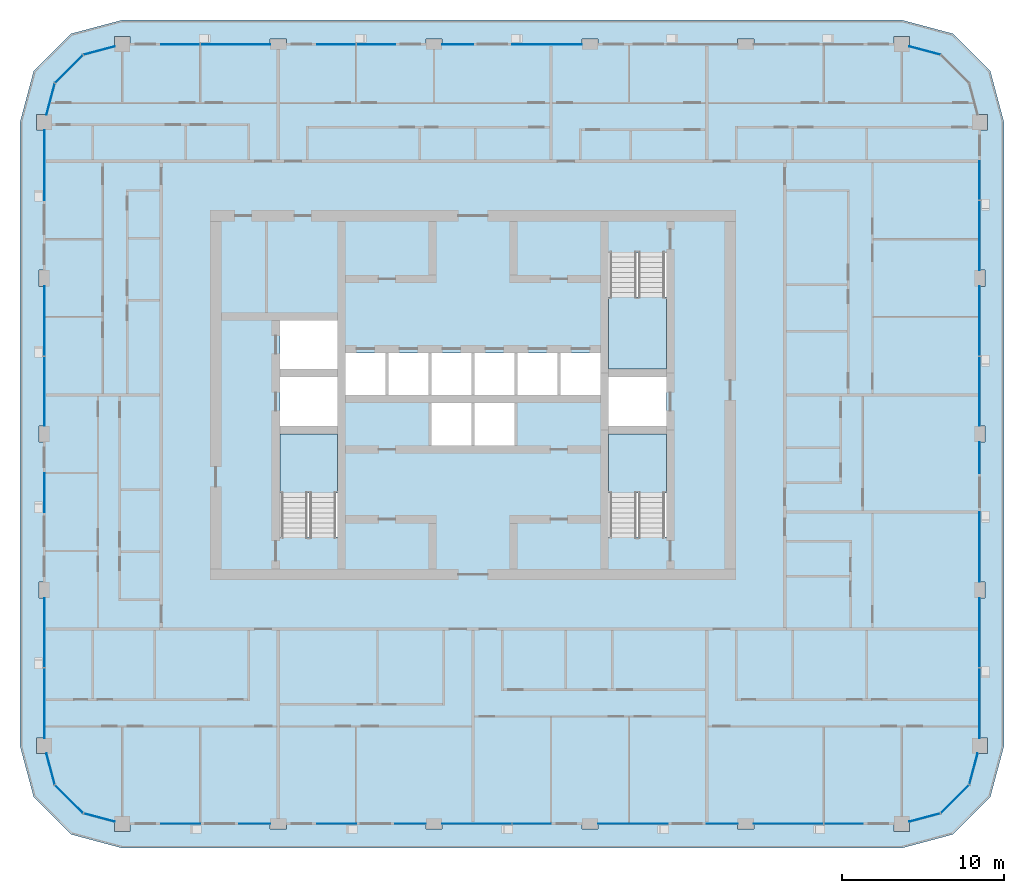
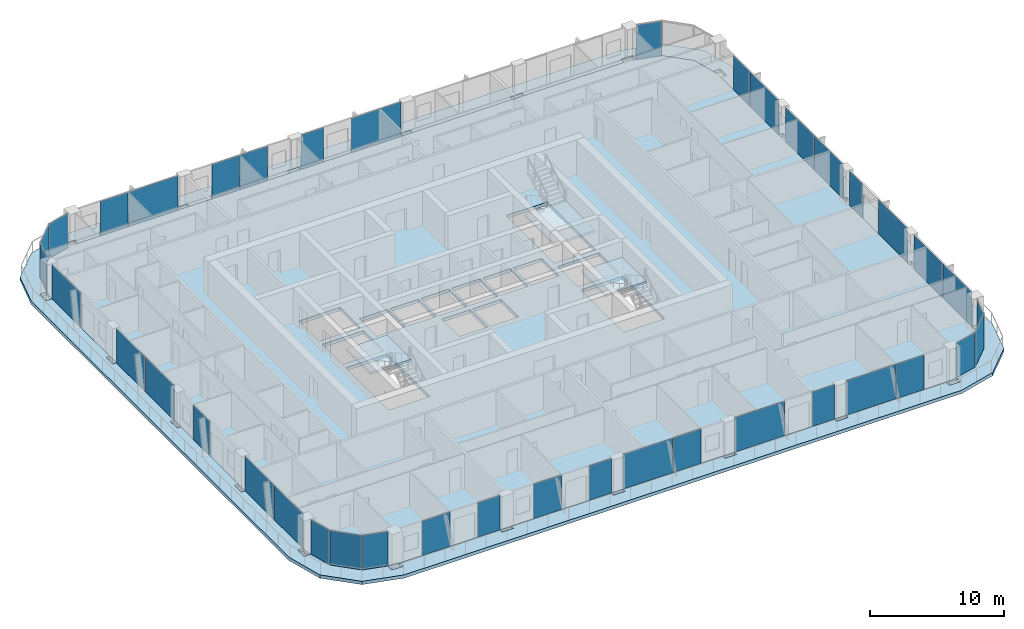
# One storey, part 7 of 21: 40 plates, 5 slabs, 23 elements without a shape of their own.
"""IFC4 building model written with IfcOpenShell, lengths in metres."""

from ifc_helpers import new_model, si_unit, direction, frame, origin, origin_2d, place, context, subcontext, project, spatial, polyline, rectangle, outline, extrude, material, layer, layer_set, type_object, element, aggregate, save


model = new_model("IFC4")

# Units and contexts
model_context = context("Model", 3, precision=1e-05, world=origin(), true_north=direction((0.0, 1.0)))
body_context = subcontext(model_context, "Body", "Model", "MODEL_VIEW")
ifc_project = project(units=[si_unit("LENGTHUNIT", "METRE"), si_unit("AREAUNIT", "SQUARE_METRE"), si_unit("VOLUMEUNIT", "CUBIC_METRE"), si_unit("PLANEANGLEUNIT", "RADIAN"), si_unit("MASSUNIT", "GRAM", prefix="KILO")], contexts=[model_context])

# Site, building, storey
site_placement = place(None, origin())
site = spatial("IfcSite", under=ifc_project, at=site_placement, CompositionType="ELEMENT")
building_placement = place(site_placement, origin())
building = spatial("IfcBuilding", under=site, at=building_placement, Name="Madar Terraces", CompositionType="ELEMENT")
storey_placement = place(building_placement, frame((0.0, 0.0, 196.39990234375)))
storey = spatial("IfcBuildingStorey", under=building, at=storey_placement, Name="L51", CompositionType="ELEMENT", Elevation=196.39990234375)

# Slabs
ifc_material_1 = material(Name="Concrete C50/60", Category="concrete")
ifc_layer_1 = layer(ifc_material_1, 0.300048828125)
ifc_layer_set_1 = layer_set([ifc_layer_1], Name="Balcony band 300")
slab_type_1 = type_object("IfcSlabType", Name="Balcony band 300", PredefinedType="FLOOR", material=ifc_layer_set_1)
slab_1_placement = place(storey_placement, frame((0.0, 0.0, -0.2998046875)))
element("IfcSlab", 1, at=slab_1_placement, inside=storey, type_object=slab_type_1, Name="Balcony band", PredefinedType="FLOOR", context=body_context, shape_type="SweptSolid", body=[
    extrude(outline(polyline([(9.60009765625, -1.5), (6.449951171875, -0.656005859375), (4.14404296875, 1.64990234375), (3.300048828125, 4.800048828125), (3.300048828125, 43.199951171875), (4.14404296875, 46.35009765625), (6.449951171875, 48.656005859375), (9.60009765625, 49.5), (57.60009765625, 49.5), (60.75, 48.656005859375), (63.055908203125, 46.35009765625), (63.89990234375, 43.199951171875), (63.89990234375, 4.800048828125), (63.055908203125, 1.64990234375), (60.75, -0.656005859375), (57.60009765625, -1.5), (9.60009765625, -1.5)]), holes=[polyline([(10.074951171875, -0.47509765625), (10.074951171875, 0.0), (18.699951171875, 0.0), (18.699951171875, -0.324951171875), (19.699951171875, -0.324951171875), (19.699951171875, 0.0), (28.300048828125, 0.0), (28.300048828125, -0.324951171875), (29.300048828125, -0.324951171875), (29.300048828125, 0.0), (37.89990234375, 0.0), (37.89990234375, -0.324951171875), (38.89990234375, -0.324951171875), (38.89990234375, 0.0), (47.5, 0.0), (47.5, -0.324951171875), (48.5, -0.324951171875), (48.5, 0.0), (57.125, 0.0), (57.125, -0.47509765625), (58.074951171875, -0.47509765625), (58.074951171875, 0.127197265625), (60.0, 0.64306640625), (61.7568359375, 2.39990234375), (62.272705078125, 4.324951171875), (62.875, 4.324951171875), (62.875, 5.27490234375), (62.39990234375, 5.27490234375), (62.39990234375, 13.89990234375), (62.72509765625, 13.89990234375), (62.72509765625, 14.89990234375), (62.39990234375, 14.89990234375), (62.39990234375, 23.5), (62.72509765625, 23.5), (62.72509765625, 24.5), (62.39990234375, 24.5), (62.39990234375, 33.10009765625), (62.72509765625, 33.10009765625), (62.72509765625, 34.10009765625), (62.39990234375, 34.10009765625), (62.39990234375, 42.72509765625), (62.875, 42.72509765625), (62.875, 43.675048828125), (62.272705078125, 43.675048828125), (61.7568359375, 45.60009765625), (60.0, 47.35693359375), (58.074951171875, 47.872802734375), (58.074951171875, 48.47509765625), (57.125, 48.47509765625), (57.125, 48.0), (48.5, 48.0), (48.5, 48.324951171875), (47.5, 48.324951171875), (47.5, 48.0), (38.89990234375, 48.0), (38.89990234375, 48.324951171875), (37.89990234375, 48.324951171875), (37.89990234375, 48.0), (29.300048828125, 48.0), (29.300048828125, 48.324951171875), (28.300048828125, 48.324951171875), (28.300048828125, 48.0), (19.699951171875, 48.0), (19.699951171875, 48.324951171875), (18.699951171875, 48.324951171875), (18.699951171875, 48.0), (10.074951171875, 48.0), (10.074951171875, 48.47509765625), (9.125, 48.47509765625), (9.125, 47.872802734375), (7.199951171875, 47.35693359375), (5.443115234375, 45.60009765625), (4.92724609375, 43.675048828125), (4.324951171875, 43.675048828125), (4.324951171875, 42.72509765625), (4.800048828125, 42.72509765625), (4.800048828125, 34.10009765625), (4.47509765625, 34.10009765625), (4.47509765625, 33.10009765625), (4.800048828125, 33.10009765625), (4.800048828125, 24.5), (4.47509765625, 24.5), (4.47509765625, 23.5), (4.800048828125, 23.5), (4.800048828125, 14.89990234375), (4.47509765625, 14.89990234375), (4.47509765625, 13.89990234375), (4.800048828125, 13.89990234375), (4.800048828125, 5.27490234375), (4.324951171875, 5.27490234375), (4.324951171875, 4.324951171875), (4.92724609375, 4.324951171875), (5.443115234375, 2.39990234375), (7.199951171875, 0.64306640625), (9.125, 0.127197265625), (9.125, -0.47509765625), (10.074951171875, -0.47509765625)])]), origin(), (0.0, 0.0, 1.0), 0.2998046875),
])
ifc_material_2 = material(Name="Concrete C50/60", Category="concrete")
ifc_layer_2 = layer(ifc_material_2, 0.300048828125)
ifc_layer_set_2 = layer_set([ifc_layer_2], Name="FS2 PT flat slab 300")
slab_type_2 = type_object("IfcSlabType", Name="FS2 PT flat slab 300", PredefinedType="FLOOR", material=ifc_layer_set_2)
slab_2_placement = place(storey_placement, frame((0.0, 0.0, -0.2998046875)))
element("IfcSlab", 2, at=slab_2_placement, inside=storey, type_object=slab_type_2, Name="Floor slab L51 (1)", PredefinedType="FLOOR", context=body_context, shape_type="SweptSolid", body=[
    extrude(outline(polyline([(57.60009765625, 0.0), (60.0, 0.64306640625), (61.7568359375, 2.39990234375), (62.39990234375, 4.800048828125), (62.39990234375, 43.199951171875), (61.7568359375, 45.60009765625), (60.0, 47.35693359375), (57.60009765625, 48.0), (9.60009765625, 48.0), (7.199951171875, 47.35693359375), (5.443115234375, 45.60009765625), (4.800048828125, 43.199951171875), (4.800048828125, 4.800048828125), (5.443115234375, 2.39990234375), (7.199951171875, 0.64306640625), (9.60009765625, 0.0), (57.60009765625, 0.0)]), holes=[polyline([(22.85009765625, 17.64990234375), (19.300048828125, 17.64990234375), (19.300048828125, 24.0), (22.85009765625, 24.0), (22.85009765625, 17.64990234375)]), polyline([(28.64990234375, 23.300048828125), (28.64990234375, 25.89990234375), (31.10009765625, 25.89990234375), (31.10009765625, 23.300048828125), (28.64990234375, 23.300048828125)]), polyline([(19.300048828125, 24.5), (19.300048828125, 27.5), (22.85009765625, 27.5), (22.85009765625, 24.5), (19.300048828125, 24.5)]), polyline([(23.35009765625, 26.39990234375), (23.35009765625, 29.0), (25.800048828125, 29.0), (25.800048828125, 26.39990234375), (23.35009765625, 26.39990234375)]), polyline([(26.0, 26.39990234375), (26.0, 29.0), (28.449951171875, 29.0), (28.449951171875, 26.39990234375), (26.0, 26.39990234375)]), polyline([(28.64990234375, 26.39990234375), (28.64990234375, 29.0), (31.10009765625, 29.0), (31.10009765625, 26.39990234375), (28.64990234375, 26.39990234375)]), polyline([(19.300048828125, 28.0), (19.300048828125, 31.0), (22.85009765625, 31.0), (22.85009765625, 28.0), (19.300048828125, 28.0)]), polyline([(43.10009765625, 17.64990234375), (39.550048828125, 17.64990234375), (39.550048828125, 24.0), (43.10009765625, 24.0), (43.10009765625, 17.64990234375)]), polyline([(31.300048828125, 23.300048828125), (31.300048828125, 25.89990234375), (33.75, 25.89990234375), (33.75, 23.300048828125), (31.300048828125, 23.300048828125)]), polyline([(39.550048828125, 24.5), (39.550048828125, 27.5), (43.10009765625, 27.5), (43.10009765625, 24.5), (39.550048828125, 24.5)]), polyline([(31.300048828125, 26.39990234375), (31.300048828125, 29.0), (33.75, 29.0), (33.75, 26.39990234375), (31.300048828125, 26.39990234375)]), polyline([(33.949951171875, 26.39990234375), (33.949951171875, 29.0), (36.39990234375, 29.0), (36.39990234375, 26.39990234375), (33.949951171875, 26.39990234375)]), polyline([(36.60009765625, 26.39990234375), (36.60009765625, 29.0), (39.050048828125, 29.0), (39.050048828125, 26.39990234375), (36.60009765625, 26.39990234375)]), polyline([(39.550048828125, 28.0), (39.550048828125, 35.14990234375), (43.10009765625, 35.14990234375), (43.10009765625, 28.0), (39.550048828125, 28.0)])]), origin(), (0.0, 0.0, 1.0), 0.2998046875),
])

# Curtain wall, plates
ifc_material_3 = material(Name="Glass, ceramic frit dark grey, with black aluminium frame", Category="aluminium")
ifc_layer_3 = layer(ifc_material_3, 0.199951171875)
ifc_layer_set_3 = layer_set([ifc_layer_3], Name="Facade curtain wall, fritted glass")
curtain_wall_type = type_object("IfcCurtainWallType", Name="Facade curtain wall, fritted glass", PredefinedType="NOTDEFINED", material=ifc_layer_set_3)
curtain_wall_1_placement = place(storey_placement, origin())
curtain_wall_1 = element("IfcCurtainWall", 3, at=curtain_wall_1_placement, inside=storey, type_object=curtain_wall_type, Name="Outer skin curtain wall south bay 1", PredefinedType="NOTDEFINED")
ifc_material_4 = material(Name="Glass, ceramic frit dark grey", Category="glass")
ifc_layer_4 = layer(ifc_material_4, 0.028076171875)
ifc_layer_set_4 = layer_set([ifc_layer_4], Name="Facade glass panel 28")
plate_type = type_object("IfcPlateType", Name="Facade glass panel 28", PredefinedType="CURTAIN_PANEL", material=ifc_layer_set_4)
plate_1_placement = place(storey_placement, frame((13.199951171875, 0.0, 0.0), z_axis=(0.0, 0.0, 1.0), x_axis=(1.0, 0.0, 0.0)))
plate_1 = element("IfcPlate", 4, at=plate_1_placement, type_object=plate_type, Name="Panel 1", PredefinedType="CURTAIN_PANEL", context=body_context, shape_type="SweptSolid", body=[
    extrude(rectangle(XDim=2.39990234375, YDim=0.028076171875, at=origin_2d()), origin(), (0.0, 0.0, 1.0), 3.139892578125),
])
plate_2_placement = place(storey_placement, frame((17.75, 0.0, 0.0), z_axis=(0.0, 0.0, 1.0), x_axis=(1.0, 0.0, 0.0)))
plate_2 = element("IfcPlate", 5, at=plate_2_placement, type_object=plate_type, Name="Panel 2", PredefinedType="CURTAIN_PANEL", context=body_context, shape_type="SweptSolid", body=[
    extrude(rectangle(XDim=1.89990234375, YDim=0.028076171875, at=origin_2d()), origin(), (0.0, 0.0, 1.0), 3.139892578125),
])
aggregate(curtain_wall_1, [plate_1, plate_2])

curtain_wall_2_placement = place(storey_placement, origin())
curtain_wall_2 = element("IfcCurtainWall", 6, at=curtain_wall_2_placement, inside=storey, type_object=curtain_wall_type, Name="Outer skin curtain wall south bay 2", PredefinedType="NOTDEFINED")
plate_3_placement = place(storey_placement, frame((22.800048828125, 0.0, 0.0), z_axis=(0.0, 0.0, 1.0), x_axis=(1.0, 0.0, 0.0)))
plate_3 = element("IfcPlate", 7, at=plate_3_placement, type_object=plate_type, Name="Panel 1", PredefinedType="CURTAIN_PANEL", context=body_context, shape_type="SweptSolid", body=[
    extrude(rectangle(XDim=2.39990234375, YDim=0.028076171875, at=origin_2d()), origin(), (0.0, 0.0, 1.0), 3.139892578125),
])
plate_4_placement = place(storey_placement, frame((27.35009765625, 0.0, 0.0), z_axis=(0.0, 0.0, 1.0), x_axis=(1.0, 0.0, 0.0)))
plate_4 = element("IfcPlate", 8, at=plate_4_placement, type_object=plate_type, Name="Panel 2", PredefinedType="CURTAIN_PANEL", context=body_context, shape_type="SweptSolid", body=[
    extrude(rectangle(XDim=1.89990234375, YDim=0.028076171875, at=origin_2d()), origin(), (0.0, 0.0, 1.0), 3.139892578125),
])
aggregate(curtain_wall_2, [plate_3, plate_4])

curtain_wall_3_placement = place(storey_placement, origin())
curtain_wall_3 = element("IfcCurtainWall", 9, at=curtain_wall_3_placement, inside=storey, type_object=curtain_wall_type, Name="Outer skin curtain wall south bay 3", PredefinedType="NOTDEFINED")
plate_5_placement = place(storey_placement, frame((31.43505859375, 0.0, 0.0), z_axis=(0.0, 0.0, 1.0), x_axis=(1.0, 0.0, 0.0)))
plate_5 = element("IfcPlate", 10, at=plate_5_placement, type_object=plate_type, Name="Panel 1", PredefinedType="CURTAIN_PANEL", context=body_context, shape_type="SweptSolid", body=[
    extrude(rectangle(XDim=4.27001953125, YDim=0.028076171875, at=origin_2d()), origin(), (0.0, 0.0, 1.0), 3.139892578125),
])
plate_6_placement = place(storey_placement, frame((34.81494140625, 0.0, 0.0), z_axis=(0.0, 0.0, 1.0), x_axis=(1.0, 0.0, 0.0)))
plate_6 = element("IfcPlate", 11, at=plate_6_placement, type_object=plate_type, Name="Panel 2", PredefinedType="CURTAIN_PANEL", context=body_context, shape_type="SweptSolid", body=[
    extrude(rectangle(XDim=2.3701171875, YDim=0.028076171875, at=origin_2d()), origin(), (0.0, 0.0, 1.0), 3.139892578125),
])
aggregate(curtain_wall_3, [plate_5, plate_6])

curtain_wall_4_placement = place(storey_placement, origin())
curtain_wall_4 = element("IfcCurtainWall", 12, at=curtain_wall_4_placement, inside=storey, type_object=curtain_wall_type, Name="Outer skin curtain wall south bay 4", PredefinedType="NOTDEFINED")
plate_7_placement = place(storey_placement, frame((41.050048828125, 0.0, 0.0), z_axis=(0.0, 0.0, 1.0), x_axis=(1.0, 0.0, 0.0)))
plate_7 = element("IfcPlate", 13, at=plate_7_placement, type_object=plate_type, Name="Panel 1", PredefinedType="CURTAIN_PANEL", context=body_context, shape_type="SweptSolid", body=[
    extrude(rectangle(XDim=4.300048828125, YDim=0.028076171875, at=origin_2d()), origin(), (0.0, 0.0, 1.0), 3.139892578125),
])
plate_8_placement = place(storey_placement, frame((46.550048828125, 0.0, 0.0), z_axis=(0.0, 0.0, 1.0), x_axis=(1.0, 0.0, 0.0)))
plate_8 = element("IfcPlate", 14, at=plate_8_placement, type_object=plate_type, Name="Panel 2", PredefinedType="CURTAIN_PANEL", context=body_context, shape_type="SweptSolid", body=[
    extrude(rectangle(XDim=1.89990234375, YDim=0.028076171875, at=origin_2d()), origin(), (0.0, 0.0, 1.0), 3.139892578125),
])
aggregate(curtain_wall_4, [plate_7, plate_8])

curtain_wall_5_placement = place(storey_placement, origin())
curtain_wall_5 = element("IfcCurtainWall", 15, at=curtain_wall_5_placement, inside=storey, type_object=curtain_wall_type, Name="Outer skin curtain wall south bay 5", PredefinedType="NOTDEFINED")
plate_9_placement = place(storey_placement, frame((50.635009765625, 0.0, 0.0), z_axis=(0.0, 0.0, 1.0), x_axis=(1.0, 0.0, 0.0)))
plate_9 = element("IfcPlate", 16, at=plate_9_placement, type_object=plate_type, Name="Panel 1", PredefinedType="CURTAIN_PANEL", context=body_context, shape_type="SweptSolid", body=[
    extrude(rectangle(XDim=4.27001953125, YDim=0.028076171875, at=origin_2d()), origin(), (0.0, 0.0, 1.0), 3.139892578125),
])
plate_10_placement = place(storey_placement, frame((54.014892578125, 0.0, 0.0), z_axis=(0.0, 0.0, 1.0), x_axis=(1.0, 0.0, 0.0)))
plate_10 = element("IfcPlate", 17, at=plate_10_placement, type_object=plate_type, Name="Panel 2", PredefinedType="CURTAIN_PANEL", context=body_context, shape_type="SweptSolid", body=[
    extrude(rectangle(XDim=2.3701171875, YDim=0.028076171875, at=origin_2d()), origin(), (0.0, 0.0, 1.0), 3.139892578125),
])
aggregate(curtain_wall_5, [plate_9, plate_10])

curtain_wall_6_placement = place(storey_placement, origin())
curtain_wall_6 = element("IfcCurtainWall", 18, at=curtain_wall_6_placement, inside=storey, type_object=curtain_wall_type, Name="Outer skin curtain wall east bay 1", PredefinedType="NOTDEFINED")
plate_11_placement = place(storey_placement, frame((62.39990234375, 7.422607421875, 0.0), z_axis=(0.0, 0.0, 1.0), x_axis=(0.0, 1.0, 0.0)))
plate_11 = element("IfcPlate", 19, at=plate_11_placement, type_object=plate_type, Name="Panel 1", PredefinedType="CURTAIN_PANEL", context=body_context, shape_type="SweptSolid", body=[
    extrude(rectangle(XDim=4.294921875, YDim=0.028076171875, at=origin_2d()), origin(), (0.0, 0.0, 1.0), 3.139892578125),
])
plate_12_placement = place(storey_placement, frame((62.39990234375, 11.764892578125, 0.0), z_axis=(0.0, 0.0, 1.0), x_axis=(0.0, 1.0, 0.0)))
plate_12 = element("IfcPlate", 20, at=plate_12_placement, type_object=plate_type, Name="Panel 2", PredefinedType="CURTAIN_PANEL", context=body_context, shape_type="SweptSolid", body=[
    extrude(rectangle(XDim=4.27001953125, YDim=0.028076171875, at=origin_2d()), origin(), (0.0, 0.0, 1.0), 3.139892578125),
])
aggregate(curtain_wall_6, [plate_11, plate_12])

curtain_wall_7_placement = place(storey_placement, origin())
curtain_wall_7 = element("IfcCurtainWall", 21, at=curtain_wall_7_placement, inside=storey, type_object=curtain_wall_type, Name="Outer skin curtain wall east bay 2", PredefinedType="NOTDEFINED")
plate_13_placement = place(storey_placement, frame((62.39990234375, 17.050048828125, 0.0), z_axis=(0.0, 0.0, 1.0), x_axis=(0.0, 1.0, 0.0)))
plate_13 = element("IfcPlate", 22, at=plate_13_placement, type_object=plate_type, Name="Panel 1", PredefinedType="CURTAIN_PANEL", context=body_context, shape_type="SweptSolid", body=[
    extrude(rectangle(XDim=4.300048828125, YDim=0.028076171875, at=origin_2d()), origin(), (0.0, 0.0, 1.0), 3.139892578125),
])
plate_14_placement = place(storey_placement, frame((62.39990234375, 22.550048828125, 0.0), z_axis=(0.0, 0.0, 1.0), x_axis=(0.0, 1.0, 0.0)))
plate_14 = element("IfcPlate", 23, at=plate_14_placement, type_object=plate_type, Name="Panel 2", PredefinedType="CURTAIN_PANEL", context=body_context, shape_type="SweptSolid", body=[
    extrude(rectangle(XDim=1.89990234375, YDim=0.028076171875, at=origin_2d()), origin(), (0.0, 0.0, 1.0), 3.139892578125),
])
aggregate(curtain_wall_7, [plate_13, plate_14])

curtain_wall_8_placement = place(storey_placement, origin())
curtain_wall_8 = element("IfcCurtainWall", 24, at=curtain_wall_8_placement, inside=storey, type_object=curtain_wall_type, Name="Outer skin curtain wall east bay 3", PredefinedType="NOTDEFINED")
plate_15_placement = place(storey_placement, frame((62.39990234375, 26.635009765625, 0.0), z_axis=(0.0, 0.0, 1.0), x_axis=(0.0, 1.0, 0.0)))
plate_15 = element("IfcPlate", 25, at=plate_15_placement, type_object=plate_type, Name="Panel 1", PredefinedType="CURTAIN_PANEL", context=body_context, shape_type="SweptSolid", body=[
    extrude(rectangle(XDim=4.27001953125, YDim=0.028076171875, at=origin_2d()), origin(), (0.0, 0.0, 1.0), 3.139892578125),
])
plate_16_placement = place(storey_placement, frame((62.39990234375, 30.965087890625, 0.0), z_axis=(0.0, 0.0, 1.0), x_axis=(0.0, 1.0, 0.0)))
plate_16 = element("IfcPlate", 26, at=plate_16_placement, type_object=plate_type, Name="Panel 2", PredefinedType="CURTAIN_PANEL", context=body_context, shape_type="SweptSolid", body=[
    extrude(rectangle(XDim=4.27001953125, YDim=0.028076171875, at=origin_2d()), origin(), (0.0, 0.0, 1.0), 3.139892578125),
])
aggregate(curtain_wall_8, [plate_15, plate_16])

curtain_wall_9_placement = place(storey_placement, origin())
curtain_wall_9 = element("IfcCurtainWall", 27, at=curtain_wall_9_placement, inside=storey, type_object=curtain_wall_type, Name="Outer skin curtain wall east bay 4", PredefinedType="NOTDEFINED")
plate_17_placement = place(storey_placement, frame((62.39990234375, 36.235107421875, 0.0), z_axis=(0.0, 0.0, 1.0), x_axis=(0.0, 1.0, 0.0)))
plate_17 = element("IfcPlate", 28, at=plate_17_placement, type_object=plate_type, Name="Panel 1", PredefinedType="CURTAIN_PANEL", context=body_context, shape_type="SweptSolid", body=[
    extrude(rectangle(XDim=4.27001953125, YDim=0.028076171875, at=origin_2d()), origin(), (0.0, 0.0, 1.0), 3.139892578125),
])
plate_18_placement = place(storey_placement, frame((62.39990234375, 39.614990234375, 0.0), z_axis=(0.0, 0.0, 1.0), x_axis=(0.0, 1.0, 0.0)))
plate_18 = element("IfcPlate", 29, at=plate_18_placement, type_object=plate_type, Name="Panel 2", PredefinedType="CURTAIN_PANEL", context=body_context, shape_type="SweptSolid", body=[
    extrude(rectangle(XDim=2.3701171875, YDim=0.028076171875, at=origin_2d()), origin(), (0.0, 0.0, 1.0), 3.139892578125),
])
aggregate(curtain_wall_9, [plate_17, plate_18])

curtain_wall_10_placement = place(storey_placement, origin())
curtain_wall_10 = element("IfcCurtainWall", 30, at=curtain_wall_10_placement, inside=storey, type_object=curtain_wall_type, Name="Outer skin curtain wall north bay 3", PredefinedType="NOTDEFINED")
plate_19_placement = place(storey_placement, frame((35.75, 48.0, 0.0), z_axis=(0.0, 0.0, 1.0), x_axis=(-1.0, 0.0, 0.0)))
plate_19 = element("IfcPlate", 31, at=plate_19_placement, type_object=plate_type, Name="Panel 1", PredefinedType="CURTAIN_PANEL", context=body_context, shape_type="SweptSolid", body=[
    extrude(rectangle(XDim=4.300048828125, YDim=0.028076171875, at=origin_2d()), origin(), (0.0, 0.0, 1.0), 3.139892578125),
])
plate_20_placement = place(storey_placement, frame((30.25, 48.0, 0.0), z_axis=(0.0, 0.0, 1.0), x_axis=(-1.0, 0.0, 0.0)))
plate_20 = element("IfcPlate", 32, at=plate_20_placement, type_object=plate_type, Name="Panel 2", PredefinedType="CURTAIN_PANEL", context=body_context, shape_type="SweptSolid", body=[
    extrude(rectangle(XDim=1.89990234375, YDim=0.028076171875, at=origin_2d()), origin(), (0.0, 0.0, 1.0), 3.139892578125),
])
aggregate(curtain_wall_10, [plate_19, plate_20])

curtain_wall_11_placement = place(storey_placement, origin())
curtain_wall_11 = element("IfcCurtainWall", 33, at=curtain_wall_11_placement, inside=storey, type_object=curtain_wall_type, Name="Outer skin curtain wall north bay 4", PredefinedType="NOTDEFINED")
plate_21_placement = place(storey_placement, frame((25.215087890625, 48.0, 0.0), z_axis=(0.0, 0.0, 1.0), x_axis=(-1.0, 0.0, 0.0)))
plate_21 = element("IfcPlate", 34, at=plate_21_placement, type_object=plate_type, Name="Panel 1", PredefinedType="CURTAIN_PANEL", context=body_context, shape_type="SweptSolid", body=[
    extrude(rectangle(XDim=2.3701171875, YDim=0.028076171875, at=origin_2d()), origin(), (0.0, 0.0, 1.0), 3.139892578125),
])
plate_22_placement = place(storey_placement, frame((22.784912109375, 48.0, 0.0), z_axis=(0.0, 0.0, 1.0), x_axis=(-1.0, 0.0, 0.0)))
plate_22 = element("IfcPlate", 35, at=plate_22_placement, type_object=plate_type, Name="Panel 2", PredefinedType="CURTAIN_PANEL", context=body_context, shape_type="SweptSolid", body=[
    extrude(rectangle(XDim=2.3701171875, YDim=0.028076171875, at=origin_2d()), origin(), (0.0, 0.0, 1.0), 3.139892578125),
])
aggregate(curtain_wall_11, [plate_21, plate_22])

curtain_wall_12_placement = place(storey_placement, origin())
curtain_wall_12 = element("IfcCurtainWall", 36, at=curtain_wall_12_placement, inside=storey, type_object=curtain_wall_type, Name="Outer skin curtain wall north bay 5", PredefinedType="NOTDEFINED")
plate_23_placement = place(storey_placement, frame((16.56494140625, 48.0, 0.0), z_axis=(0.0, 0.0, 1.0), x_axis=(-1.0, 0.0, 0.0)))
plate_23 = element("IfcPlate", 37, at=plate_23_placement, type_object=plate_type, Name="Panel 1", PredefinedType="CURTAIN_PANEL", context=body_context, shape_type="SweptSolid", body=[
    extrude(rectangle(XDim=4.27001953125, YDim=0.028076171875, at=origin_2d()), origin(), (0.0, 0.0, 1.0), 3.139892578125),
])
plate_24_placement = place(storey_placement, frame((13.18505859375, 48.0, 0.0), z_axis=(0.0, 0.0, 1.0), x_axis=(-1.0, 0.0, 0.0)))
plate_24 = element("IfcPlate", 38, at=plate_24_placement, type_object=plate_type, Name="Panel 2", PredefinedType="CURTAIN_PANEL", context=body_context, shape_type="SweptSolid", body=[
    extrude(rectangle(XDim=2.3701171875, YDim=0.028076171875, at=origin_2d()), origin(), (0.0, 0.0, 1.0), 3.139892578125),
])
aggregate(curtain_wall_12, [plate_23, plate_24])

# Curtain wall, plate
curtain_wall_13_placement = place(storey_placement, origin())
curtain_wall_13 = element("IfcCurtainWall", 39, at=curtain_wall_13_placement, inside=storey, type_object=curtain_wall_type, Name="Outer skin curtain wall west bay 1", PredefinedType="NOTDEFINED")
plate_25_placement = place(storey_placement, frame((4.800048828125, 40.5625, 0.0), z_axis=(0.0, 0.0, 1.0), x_axis=(0.0, -1.0, 0.0)))
plate_25 = element("IfcPlate", 40, at=plate_25_placement, type_object=plate_type, Name="Panel 1", PredefinedType="CURTAIN_PANEL", context=body_context, shape_type="SweptSolid", body=[
    extrude(rectangle(XDim=4.324951171875, YDim=0.028076171875, at=origin_2d()), origin(), (0.0, 0.0, 1.0), 3.139892578125),
])
aggregate(curtain_wall_13, [plate_25])

# Curtain wall, plates
curtain_wall_14_placement = place(storey_placement, origin())
curtain_wall_14 = element("IfcCurtainWall", 41, at=curtain_wall_14_placement, inside=storey, type_object=curtain_wall_type, Name="Outer skin curtain wall west bay 2", PredefinedType="NOTDEFINED")
plate_26_placement = place(storey_placement, frame((4.800048828125, 30.965087890625, 0.0), z_axis=(0.0, 0.0, 1.0), x_axis=(0.0, -1.0, 0.0)))
plate_26 = element("IfcPlate", 42, at=plate_26_placement, type_object=plate_type, Name="Panel 1", PredefinedType="CURTAIN_PANEL", context=body_context, shape_type="SweptSolid", body=[
    extrude(rectangle(XDim=4.27001953125, YDim=0.028076171875, at=origin_2d()), origin(), (0.0, 0.0, 1.0), 3.139892578125),
])
plate_27_placement = place(storey_placement, frame((4.800048828125, 26.635009765625, 0.0), z_axis=(0.0, 0.0, 1.0), x_axis=(0.0, -1.0, 0.0)))
plate_27 = element("IfcPlate", 43, at=plate_27_placement, type_object=plate_type, Name="Panel 2", PredefinedType="CURTAIN_PANEL", context=body_context, shape_type="SweptSolid", body=[
    extrude(rectangle(XDim=4.27001953125, YDim=0.028076171875, at=origin_2d()), origin(), (0.0, 0.0, 1.0), 3.139892578125),
])
aggregate(curtain_wall_14, [plate_26, plate_27])

# Curtain wall, plate
curtain_wall_15_placement = place(storey_placement, origin())
curtain_wall_15 = element("IfcCurtainWall", 44, at=curtain_wall_15_placement, inside=storey, type_object=curtain_wall_type, Name="Outer skin curtain wall west bay 3", PredefinedType="NOTDEFINED")
plate_28_placement = place(storey_placement, frame((4.800048828125, 20.39990234375, 0.0), z_axis=(0.0, 0.0, 1.0), x_axis=(0.0, -1.0, 0.0)))
plate_28 = element("IfcPlate", 45, at=plate_28_placement, type_object=plate_type, Name="Panel 1", PredefinedType="CURTAIN_PANEL", context=body_context, shape_type="SweptSolid", body=[
    extrude(rectangle(XDim=2.39990234375, YDim=0.028076171875, at=origin_2d()), origin(), (0.0, 0.0, 1.0), 3.139892578125),
])
aggregate(curtain_wall_15, [plate_28])

# Curtain wall, plates
curtain_wall_16_placement = place(storey_placement, origin())
curtain_wall_16 = element("IfcCurtainWall", 46, at=curtain_wall_16_placement, inside=storey, type_object=curtain_wall_type, Name="Outer skin curtain wall west bay 4", PredefinedType="NOTDEFINED")
plate_29_placement = place(storey_placement, frame((4.800048828125, 11.764892578125, 0.0), z_axis=(0.0, 0.0, 1.0), x_axis=(0.0, -1.0, 0.0)))
plate_29 = element("IfcPlate", 47, at=plate_29_placement, type_object=plate_type, Name="Panel 1", PredefinedType="CURTAIN_PANEL", context=body_context, shape_type="SweptSolid", body=[
    extrude(rectangle(XDim=4.27001953125, YDim=0.028076171875, at=origin_2d()), origin(), (0.0, 0.0, 1.0), 3.139892578125),
])
plate_30_placement = place(storey_placement, frame((4.800048828125, 7.422607421875, 0.0), z_axis=(0.0, 0.0, 1.0), x_axis=(0.0, -1.0, 0.0)))
plate_30 = element("IfcPlate", 48, at=plate_30_placement, type_object=plate_type, Name="Panel 2", PredefinedType="CURTAIN_PANEL", context=body_context, shape_type="SweptSolid", body=[
    extrude(rectangle(XDim=4.294921875, YDim=0.028076171875, at=origin_2d()), origin(), (0.0, 0.0, 1.0), 3.139892578125),
])
aggregate(curtain_wall_16, [plate_29, plate_30])

curtain_wall_17_placement = place(storey_placement, origin())
curtain_wall_17 = element("IfcCurtainWall", 49, at=curtain_wall_17_placement, inside=storey, type_object=curtain_wall_type, Name="Outer skin curtain wall south-east corner", PredefinedType="NOTDEFINED")
plate_31_placement = place(storey_placement, frame((59.02294921875, 0.38134765625, 0.0), z_axis=(0.0, 0.0, 1.0), x_axis=(0.965925832509, 0.258819021888, 0.0)))
plate_31 = element("IfcPlate", 50, at=plate_31_placement, type_object=plate_type, Name="Panel 1", PredefinedType="CURTAIN_PANEL", context=body_context, shape_type="SweptSolid", body=[
    extrude(rectangle(XDim=1.962890625, YDim=0.028076171875, at=origin_2d()), origin(), (0.0, 0.0, 1.0), 3.139892578125),
])
plate_32_placement = place(storey_placement, frame((60.87841796875, 1.521484375, 0.0), z_axis=(0.0, 0.0, 1.0), x_axis=(0.707106781187, 0.707106781187, 0.0)))
plate_32 = element("IfcPlate", 51, at=plate_32_placement, type_object=plate_type, Name="Panel 2", PredefinedType="CURTAIN_PANEL", context=body_context, shape_type="SweptSolid", body=[
    extrude(rectangle(XDim=2.424560546875, YDim=0.028076171875, at=origin_2d()), origin(), (0.0, 0.0, 1.0), 3.139892578125),
])
plate_33_placement = place(storey_placement, frame((62.018798828125, 3.376953125, 0.0), z_axis=(0.0, 0.0, 1.0), x_axis=(0.258819021888, 0.965925832509, 0.0)))
plate_33 = element("IfcPlate", 52, at=plate_33_placement, type_object=plate_type, Name="Panel 3", PredefinedType="CURTAIN_PANEL", context=body_context, shape_type="SweptSolid", body=[
    extrude(rectangle(XDim=1.962890625, YDim=0.028076171875, at=origin_2d()), origin(), (0.0, 0.0, 1.0), 3.139892578125),
])
aggregate(curtain_wall_17, [plate_31, plate_32, plate_33])

# Curtain wall, plate
curtain_wall_18_placement = place(storey_placement, origin())
curtain_wall_18 = element("IfcCurtainWall", 53, at=curtain_wall_18_placement, inside=storey, type_object=curtain_wall_type, Name="Outer skin curtain wall north-east corner", PredefinedType="NOTDEFINED")
plate_34_placement = place(storey_placement, frame((59.02294921875, 47.61865234375, 0.0), z_axis=(0.0, 0.0, 1.0), x_axis=(-0.965925832509, 0.258819021888, 0.0)))
plate_34 = element("IfcPlate", 54, at=plate_34_placement, type_object=plate_type, Name="Panel 3", PredefinedType="CURTAIN_PANEL", context=body_context, shape_type="SweptSolid", body=[
    extrude(rectangle(XDim=1.962890625, YDim=0.028076171875, at=origin_2d()), origin(), (0.0, 0.0, 1.0), 3.139892578125),
])
aggregate(curtain_wall_18, [plate_34])

# Curtain wall, plates
curtain_wall_19_placement = place(storey_placement, origin())
curtain_wall_19 = element("IfcCurtainWall", 55, at=curtain_wall_19_placement, inside=storey, type_object=curtain_wall_type, Name="Outer skin curtain wall north-west corner", PredefinedType="NOTDEFINED")
plate_35_placement = place(storey_placement, frame((8.177001953125, 47.61865234375, 0.0), z_axis=(0.0, 0.0, 1.0), x_axis=(-0.965925832509, -0.258819021888, 0.0)))
plate_35 = element("IfcPlate", 56, at=plate_35_placement, type_object=plate_type, Name="Panel 1", PredefinedType="CURTAIN_PANEL", context=body_context, shape_type="SweptSolid", body=[
    extrude(rectangle(XDim=1.962890625, YDim=0.028076171875, at=origin_2d()), origin(), (0.0, 0.0, 1.0), 3.139892578125),
])
plate_36_placement = place(storey_placement, frame((6.321533203125, 46.478515625, 0.0), z_axis=(0.0, 0.0, 1.0), x_axis=(-0.707106781187, -0.707106781187, 0.0)))
plate_36 = element("IfcPlate", 57, at=plate_36_placement, type_object=plate_type, Name="Panel 2", PredefinedType="CURTAIN_PANEL", context=body_context, shape_type="SweptSolid", body=[
    extrude(rectangle(XDim=2.424560546875, YDim=0.028076171875, at=origin_2d()), origin(), (0.0, 0.0, 1.0), 3.139892578125),
])
plate_37_placement = place(storey_placement, frame((5.181396484375, 44.623046875, 0.0), z_axis=(0.0, 0.0, 1.0), x_axis=(-0.258819021888, -0.965925832509, 0.0)))
plate_37 = element("IfcPlate", 58, at=plate_37_placement, type_object=plate_type, Name="Panel 3", PredefinedType="CURTAIN_PANEL", context=body_context, shape_type="SweptSolid", body=[
    extrude(rectangle(XDim=1.962890625, YDim=0.028076171875, at=origin_2d()), origin(), (0.0, 0.0, 1.0), 3.139892578125),
])
aggregate(curtain_wall_19, [plate_35, plate_36, plate_37])

curtain_wall_20_placement = place(storey_placement, origin())
curtain_wall_20 = element("IfcCurtainWall", 59, at=curtain_wall_20_placement, inside=storey, type_object=curtain_wall_type, Name="Outer skin curtain wall south-west corner", PredefinedType="NOTDEFINED")
plate_38_placement = place(storey_placement, frame((5.181396484375, 3.376953125, 0.0), z_axis=(0.0, 0.0, 1.0), x_axis=(0.258819021888, -0.965925832509, 0.0)))
plate_38 = element("IfcPlate", 60, at=plate_38_placement, type_object=plate_type, Name="Panel 1", PredefinedType="CURTAIN_PANEL", context=body_context, shape_type="SweptSolid", body=[
    extrude(rectangle(XDim=1.962890625, YDim=0.028076171875, at=origin_2d()), origin(), (0.0, 0.0, 1.0), 3.139892578125),
])
plate_39_placement = place(storey_placement, frame((6.321533203125, 1.521484375, 0.0), z_axis=(0.0, 0.0, 1.0), x_axis=(0.707106781187, -0.707106781187, 0.0)))
plate_39 = element("IfcPlate", 61, at=plate_39_placement, type_object=plate_type, Name="Panel 2", PredefinedType="CURTAIN_PANEL", context=body_context, shape_type="SweptSolid", body=[
    extrude(rectangle(XDim=2.424560546875, YDim=0.028076171875, at=origin_2d()), origin(), (0.0, 0.0, 1.0), 3.139892578125),
])
plate_40_placement = place(storey_placement, frame((8.177001953125, 0.38134765625, 0.0), z_axis=(0.0, 0.0, 1.0), x_axis=(0.965925832509, -0.258819021888, 0.0)))
plate_40 = element("IfcPlate", 62, at=plate_40_placement, type_object=plate_type, Name="Panel 3", PredefinedType="CURTAIN_PANEL", context=body_context, shape_type="SweptSolid", body=[
    extrude(rectangle(XDim=1.962890625, YDim=0.028076171875, at=origin_2d()), origin(), (0.0, 0.0, 1.0), 3.139892578125),
])
aggregate(curtain_wall_20, [plate_38, plate_39, plate_40])

# Stair, slab
ifc_material_5 = material(Name="Concrete C50/60", Category="concrete")
stair_type_1 = type_object("IfcStairType", Name="Stair ST1 protected exit", PredefinedType="HALF_TURN_STAIR", material=ifc_material_5)
stair_1_placement = place(storey_placement, origin())
stair_1 = element("IfcStair", 63, at=stair_1_placement, inside=storey, type_object=stair_type_1, Name="L51 Protected Exit Stair ST1", PredefinedType="HALF_TURN_STAIR")
ifc_material_6 = material(Name="Concrete C50/60", Category="concrete")
ifc_layer_5 = layer(ifc_material_6, 0.199951171875)
ifc_layer_set_5 = layer_set([ifc_layer_5], Name="Stair landing 200, top +1.75")
slab_type_3 = type_object("IfcSlabType", Name="Stair landing 200, top +1.75", PredefinedType="LANDING", material=ifc_layer_set_5)
slab_3_placement = place(storey_placement, frame((0.0, 0.0, 1.550048828125)))
slab_3 = element("IfcSlab", 64, at=slab_3_placement, type_object=slab_type_3, Name="ST1 landing 1", PredefinedType="LANDING", context=body_context, shape_type="SweptSolid", body=[
    extrude(outline(polyline([(19.300048828125, 20.360107421875), (22.85009765625, 20.360107421875), (22.85009765625, 24.0), (19.300048828125, 24.0), (19.300048828125, 20.360107421875)])), origin(), (0.0, 0.0, 1.0), 0.199951171875),
])
aggregate(stair_1, [slab_3])

ifc_material_7 = material(Name="Concrete C50/60", Category="concrete")
stair_type_2 = type_object("IfcStairType", Name="Stair ST2 protected exit", PredefinedType="HALF_TURN_STAIR", material=ifc_material_7)
stair_2_placement = place(storey_placement, origin())
stair_2 = element("IfcStair", 65, at=stair_2_placement, inside=storey, type_object=stair_type_2, Name="L51 Protected Exit Stair ST2", PredefinedType="HALF_TURN_STAIR")
slab_4_placement = place(storey_placement, frame((0.0, 0.0, 1.550048828125)))
slab_4 = element("IfcSlab", 66, at=slab_4_placement, type_object=slab_type_3, Name="ST2 landing 1", PredefinedType="LANDING", context=body_context, shape_type="SweptSolid", body=[
    extrude(outline(polyline([(39.550048828125, 28.0), (43.10009765625, 28.0), (43.10009765625, 32.43994140625), (39.550048828125, 32.43994140625), (39.550048828125, 28.0)])), origin(), (0.0, 0.0, 1.0), 0.199951171875),
])
aggregate(stair_2, [slab_4])

ifc_material_8 = material(Name="Concrete C50/60", Category="concrete")
stair_type_3 = type_object("IfcStairType", Name="Stair ST3 protected exit", PredefinedType="HALF_TURN_STAIR", material=ifc_material_8)
stair_3_placement = place(storey_placement, origin())
stair_3 = element("IfcStair", 67, at=stair_3_placement, inside=storey, type_object=stair_type_3, Name="L51 Protected Exit Stair ST3", PredefinedType="HALF_TURN_STAIR")
slab_5_placement = place(storey_placement, frame((0.0, 0.0, 1.550048828125)))
slab_5 = element("IfcSlab", 68, at=slab_5_placement, type_object=slab_type_3, Name="ST3 landing 1", PredefinedType="LANDING", context=body_context, shape_type="SweptSolid", body=[
    extrude(outline(polyline([(39.550048828125, 20.360107421875), (43.10009765625, 20.360107421875), (43.10009765625, 24.0), (39.550048828125, 24.0), (39.550048828125, 20.360107421875)])), origin(), (0.0, 0.0, 1.0), 0.199951171875),
])
aggregate(stair_3, [slab_5])

save(model, "model.ifc")
